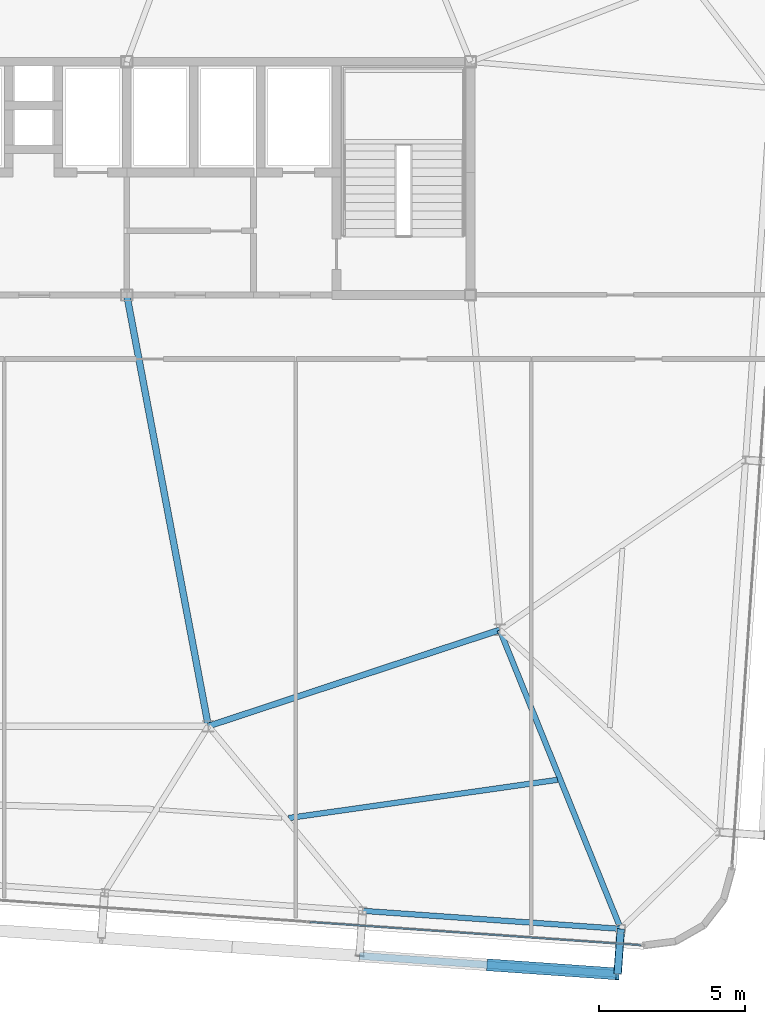
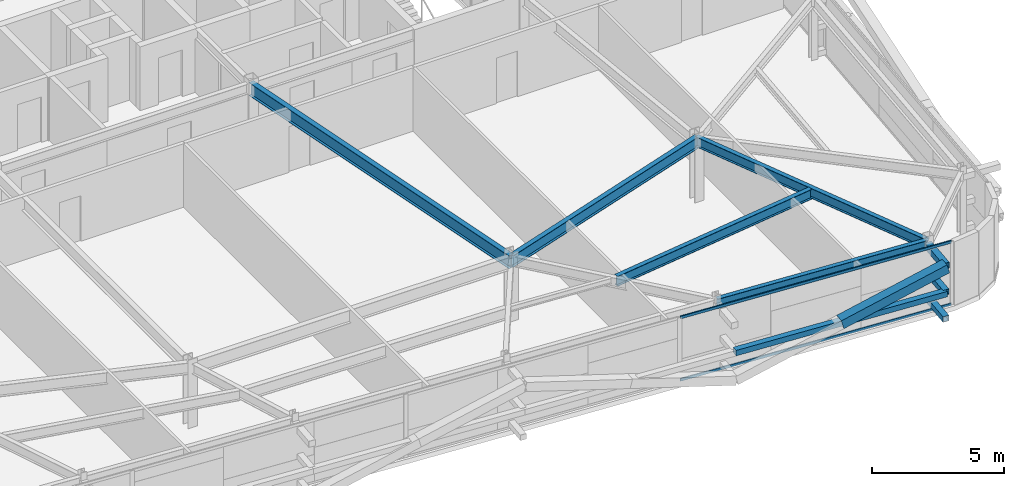
# One storey, part 14 of 39: 7 members, 5 beams, 1 element without a shape of its own.
"""IFC4 building model written with IfcOpenShell, lengths in metres."""

from ifc_helpers import new_model, si_unit, direction, frame, origin, origin_2d, place, context, subcontext, project, spatial, hollow_rectangle, i_section, extrude, source, transform, mapped, material, layer, layer_set, material_profile, profile_set, type_object, element, aggregate, save


model = new_model("IFC4")

# Units and contexts
model_context = context("Model", 3, precision=1e-05, world=origin(), true_north=direction((0.0, 1.0)))
body_context = subcontext(model_context, "Body", "Model", "MODEL_VIEW")
ifc_project = project(units=[si_unit("LENGTHUNIT", "METRE"), si_unit("AREAUNIT", "SQUARE_METRE"), si_unit("VOLUMEUNIT", "CUBIC_METRE"), si_unit("PLANEANGLEUNIT", "RADIAN"), si_unit("MASSUNIT", "GRAM", prefix="KILO")], contexts=[model_context])

# Site, building, storey
site_placement = place(None, origin())
site = spatial("IfcSite", under=ifc_project, at=site_placement, CompositionType="ELEMENT")
building_placement = place(site_placement, origin())
building = spatial("IfcBuilding", under=site, at=building_placement, Name="Taldren Reach Tower", CompositionType="ELEMENT")
storey_placement = place(building_placement, frame((0.0, 0.0, 145.60009765625)))
storey = spatial("IfcBuildingStorey", under=building, at=storey_placement, Name="L44", CompositionType="ELEMENT", Elevation=145.60009765625)

# Beams
ifc_material_1 = material(Name="Steel Gr 350 (350PLUS)", Category="steel")
ifc_material_profile_1 = material_profile(ifc_material_1, i_section(OverallWidth=0.208984375, OverallDepth=0.532958984375, WebThickness=0.01025390625, FlangeThickness=0.015625, at=origin_2d()), Name="530UB92.4")
ifc_profile_set_1 = profile_set([ifc_material_profile_1], Name="Steel Gr 350 (350PLUS)")
beam_type_1 = type_object("IfcBeamType", Name="BM-UB530A", PredefinedType="BEAM", material=ifc_profile_set_1)
shared_shape_1 = source(origin(), body_context, "Body", "SweptSolid", [
    extrude(i_section(OverallWidth=0.208984375, OverallDepth=0.532958984375, WebThickness=0.01025390625, FlangeThickness=0.015625, at=origin_2d()), origin(), (0.0, 0.0, 1.0), 10.530517578125),
])
beam_1_placement = place(storey_placement, frame((42.0, 9.199951171875, 2.663330078125), z_axis=(0.949627269203, 0.313381635689, 0.0), x_axis=(-0.313381635689, 0.949627269203, 0.0)))
element("IfcBeam", 1, at=beam_1_placement, inside=storey, type_object=beam_type_1, Name="Core-spine girder L44-SP12", PredefinedType="BEAM", context=body_context, shape_type="MappedRepresentation", body=[
    mapped(shared_shape_1, transform((0.0, 0.0, 0.0), scale=1.0)),
])
ifc_material_profile_2 = material_profile(ifc_material_1, i_section(OverallWidth=0.22802734375, OverallDepth=0.60205078125, WebThickness=0.010498046875, FlangeThickness=0.014892578125, at=origin_2d()), Name="610UB101")
ifc_profile_set_2 = profile_set([ifc_material_profile_2], Name="Steel Gr 350 (350PLUS)")
beam_type_2 = type_object("IfcBeamType", Name="BM-UB610B", PredefinedType="BEAM", material=ifc_profile_set_2)
shared_shape_2 = source(origin(), body_context, "Body", "SweptSolid", [
    extrude(i_section(OverallWidth=0.22802734375, OverallDepth=0.60205078125, WebThickness=0.010498046875, FlangeThickness=0.014892578125, at=origin_2d()), origin(), (0.0, 0.0, 1.0), 15.0625),
])
beam_2_placement = place(storey_placement, frame((39.199951171875, 24.0, 2.62890625), z_axis=(0.185894205668, -0.982569765614, 0.0), x_axis=(0.982569765614, 0.185894205668, 0.0)))
element("IfcBeam", 2, at=beam_2_placement, inside=storey, type_object=beam_type_2, Name="Core-spine girder L44-SP15", PredefinedType="BEAM", context=body_context, shape_type="MappedRepresentation", body=[
    mapped(shared_shape_2, transform((0.0, 0.0, 0.0), scale=1.0)),
])

# Members
ifc_material_2 = material(Name="Steel Gr 450 (C450L0)", Category="steel")
ifc_material_profile_3 = material_profile(ifc_material_2, hollow_rectangle(XDim=0.27490234375, YDim=0.27490234375, WallThickness=0.00927734375, at=origin_2d()), Name="275x275x9.3SHS")
ifc_profile_set_3 = profile_set([ifc_material_profile_3], Name="Steel Gr 450 (C450L0)")
member_type_1 = type_object("IfcMemberType", Name="MB-TIE273", PredefinedType="STRUT", material=ifc_profile_set_3)
shared_shape_3 = source(origin(), body_context, "Body", "SweptSolid", [
    extrude(hollow_rectangle(XDim=0.27490234375, YDim=0.27490234375, WallThickness=0.00927734375, at=origin_2d()), origin(), (0.0, 0.0, 1.0), 1.5498046875),
])
member_1_placement = place(storey_placement, frame((56.155517578125, 2.2412109375, 2.64990234375), z_axis=(-0.069780535098, -0.997562367434, 0.0), x_axis=(0.997562367434, -0.069780535098, 0.0)))
element("IfcMember", 3, at=member_1_placement, inside=storey, type_object=member_type_1, Name="Exoskeleton diaphragm tie strut B3-S6 L44", PredefinedType="STRUT", context=body_context, shape_type="MappedRepresentation", body=[
    mapped(shared_shape_3, transform((0.0, 0.0, 0.0), scale=1.0)),
])
ifc_material_3 = material(Name="Steel Gr 350 (C350L0)", Category="steel")
ifc_material_profile_4 = material_profile(ifc_material_3, hollow_rectangle(XDim=0.25, YDim=0.25, WallThickness=0.010009765625, at=origin_2d()), Name="250x250x10.0SHS")
ifc_profile_set_4 = profile_set([ifc_material_profile_4], Name="Steel Gr 350 (C350L0)")
member_type_2 = type_object("IfcMemberType", Name="MB-POST250", PredefinedType="POST", material=ifc_profile_set_4)
shared_shape_4 = source(origin(), body_context, "Body", "SweptSolid", [
    extrude(hollow_rectangle(XDim=0.25, YDim=0.25, WallThickness=0.010009765625, at=origin_2d()), origin(), (0.0, 0.0, 1.0), 1.5498046875),
])
for number, where, z_axis, x_axis, name in (
    (4, (56.155517578125, 2.2412109375, 0.219970703125), (-0.069780535098, -0.997562367434, 0.0), (0.997562367434, -0.069780535098, 0.0), "Exoskeleton base diaphragm tie strut B3-S6 L44"),
    (5, (56.155517578125, 2.2412109375, 1.434814453125), (-0.069780535098, -0.997562367434, 0.0), (0.997562367434, -0.069780535098, 0.0), "Exoskeleton mid-tier diaphragm tie B3-S6 L44"),
):
    element("IfcMember", number, at=place(storey_placement, frame(where, z_axis=z_axis, x_axis=x_axis)), inside=storey, type_object=member_type_2, Name=name, PredefinedType="POST", context=body_context, shape_type="MappedRepresentation", body=[
        mapped(shared_shape_4, transform((0.0, 0.0, 0.0), scale=1.0)),
    ])

# Beams
ifc_material_profile_5 = material_profile(ifc_material_1, i_section(OverallWidth=0.18994140625, OverallDepth=0.4541015625, WebThickness=0.008544921875, FlangeThickness=0.0126953125, at=origin_2d()), Name="460UB67.1")
ifc_profile_set_5 = profile_set([ifc_material_profile_5], Name="Steel Gr 350 (350PLUS)")
beam_type_3 = type_object("IfcBeamType", Name="SP-UB460B", PredefinedType="SPANDREL", material=ifc_profile_set_5)
shared_shape_5 = source(origin(), body_context, "Body", "SweptSolid", [
    extrude(i_section(OverallWidth=0.18994140625, OverallDepth=0.4541015625, WebThickness=0.008544921875, FlangeThickness=0.0126953125, at=origin_2d()), origin(), (0.0, 0.0, 1.0), 8.880126953125),
])
beam_3_placement = place(storey_placement, frame((47.297119140625, 2.860595703125, 2.702880859375), z_axis=(0.997564479639, -0.069750333063, 0.0), x_axis=(0.069750333063, 0.997564479639, 0.0)))
element("IfcBeam", 6, at=beam_3_placement, inside=storey, type_object=beam_type_3, Name="Perimeter spandrel B3 S5-S6 L44", PredefinedType="SPANDREL", context=body_context, shape_type="MappedRepresentation", body=[
    mapped(shared_shape_5, transform((0.0, 0.0, 0.0), scale=1.0)),
])
ifc_material_profile_6 = material_profile(ifc_material_1, i_section(OverallWidth=0.19091796875, OverallDepth=0.4599609375, WebThickness=0.010009765625, FlangeThickness=0.01611328125, at=origin_2d()), Name="460UB82.1")
ifc_profile_set_6 = profile_set([ifc_material_profile_6], Name="Steel Gr 350 (350PLUS)")
beam_type_4 = type_object("IfcBeamType", Name="BM-UB460A", PredefinedType="BEAM", material=ifc_profile_set_6)
shared_shape_6 = source(origin(), body_context, "Body", "SweptSolid", [
    extrude(i_section(OverallWidth=0.19091796875, OverallDepth=0.4599609375, WebThickness=0.010009765625, FlangeThickness=0.01611328125, at=origin_2d()), origin(), (0.0, 0.0, 1.0), 11.068359375),
])
beam_4_placement = place(storey_placement, frame((52.0, 12.5, 2.699951171875), z_axis=(0.375437319636, -0.92684778633, 0.0), x_axis=(0.92684778633, 0.375437319636, 0.0)))
element("IfcBeam", 7, at=beam_4_placement, inside=storey, type_object=beam_type_4, Name="Primary floor girder B3-S6 L44", PredefinedType="BEAM", context=body_context, shape_type="MappedRepresentation", body=[
    mapped(shared_shape_6, transform((0.0, 0.0, 0.0), scale=1.0)),
])
shared_shape_7 = source(origin(), body_context, "Body", "SweptSolid", [
    extrude(i_section(OverallWidth=0.19091796875, OverallDepth=0.4599609375, WebThickness=0.010009765625, FlangeThickness=0.01611328125, at=origin_2d()), origin(), (0.0, 0.0, 1.0), 9.313232421875),
])
beam_5_placement = place(storey_placement, frame((44.759765625, 6.046142578125, 2.699951171875), z_axis=(0.990049385514, 0.140720340547, 0.0), x_axis=(-0.140720340547, 0.990049385514, 0.0)))
element("IfcBeam", 8, at=beam_5_placement, inside=storey, type_object=beam_type_4, Name="Secondary floor beam B3 J5 L44", PredefinedType="BEAM", context=body_context, shape_type="MappedRepresentation", body=[
    mapped(shared_shape_7, transform((0.0, 0.0, 0.0), scale=1.0)),
])

# Members
shared_shape_8 = source(origin(), body_context, "Body", "SweptSolid", [
    extrude(hollow_rectangle(XDim=0.25, YDim=0.25, WallThickness=0.010009765625, at=origin_2d()), origin(), (0.0, 0.0, 1.0), 8.880126953125),
])
member_2_placement = place(storey_placement, frame((47.18896484375, 1.314453125, 1.434814453125), z_axis=(0.997564479639, -0.069750333063, 0.0), x_axis=(0.069750333063, 0.997564479639, 0.0)))
element("IfcMember", 9, at=member_2_placement, inside=storey, type_object=member_type_2, Name="Exoskeleton mid-height ring chord B3-S5 L44", PredefinedType="POST", context=body_context, shape_type="MappedRepresentation", body=[
    mapped(shared_shape_8, transform((0.0, 0.0, 0.0), scale=1.0)),
])
ifc_material_profile_7 = material_profile(ifc_material_2, hollow_rectangle(XDim=0.409912109375, YDim=0.409912109375, WallThickness=0.01611328125, at=origin_2d()), Name="410x410x16.0SHS")
ifc_profile_set_7 = profile_set([ifc_material_profile_7], Name="Steel Gr 450 (C450L0)")
member_type_3 = type_object("IfcMemberType", Name="MB-EXO406", PredefinedType="BRACE", material=ifc_profile_set_7)
shared_shape_9 = source(origin(), body_context, "Body", "SweptSolid", [
    extrude(hollow_rectangle(XDim=0.409912109375, YDim=0.409912109375, WallThickness=0.01611328125, at=origin_2d()), origin(), (0.0, 0.0, 1.0), 4.603271484375),
])
member_3_placement = place(storey_placement, frame((51.6181640625, 1.004638671875, 1.434814453125), z_axis=(0.962185784239, -0.067250114343, 0.263962002434), x_axis=(0.069722973508, 0.997566392259, 0.0)))
element("IfcMember", 10, at=member_3_placement, inside=storey, type_object=member_type_3, Name="Exoskeleton Diagrid Brace B3-S5 L44", PredefinedType="BRACE", context=body_context, shape_type="MappedRepresentation", body=[
    mapped(shared_shape_9, transform((0.0, 0.0, 0.0), scale=1.0)),
])

# Curtain wall, members
ifc_material_4 = material(Name="Aluminium and Low-E Glass Unitised System", Category="aluminium")
ifc_layer = layer(ifc_material_4, 0.159912109375)
ifc_layer_set = layer_set([ifc_layer], Name="Aluminium and Low-E Glass Unitised System")
curtain_wall_type = type_object("IfcCurtainWallType", Name="CW-SYS-4", PredefinedType="NOTDEFINED", material=ifc_layer_set)
curtain_wall_placement = place(storey_placement, origin())
curtain_wall = element("IfcCurtainWall", 11, at=curtain_wall_placement, inside=storey, type_object=curtain_wall_type, Name="Unitised curtain wall CW-L44-S", PredefinedType="NOTDEFINED")
ifc_material_5 = material(Name="Anodised Aluminium 6063-T6", Category="aluminium")
ifc_material_profile_8 = material_profile(ifc_material_5, hollow_rectangle(XDim=0.054931640625, YDim=0.1201171875, WallThickness=0.0029296875, at=origin_2d()), Name="ALU-120x55x3RHS")
ifc_profile_set_8 = profile_set([ifc_material_profile_8], Name="Anodised Aluminium 6063-T6")
member_type_4 = type_object("IfcMemberType", Name="CW-TRN-135", PredefinedType="USERDEFINED", material=ifc_profile_set_8)
shared_shape_10 = source(origin(), body_context, "Body", "SweptSolid", [
    extrude(hollow_rectangle(XDim=0.054931640625, YDim=0.1201171875, WallThickness=0.0029296875, at=origin_2d()), origin(), (0.0, 0.0, 1.0), 11.395263671875),
])
member_4_placement = place(storey_placement, frame((45.480712890625, 2.476318359375, 0.02734375), z_axis=(0.997565335668, -0.069738089122, 0.0), x_axis=(0.069738089122, 0.997565335668, 0.0)))
member_4 = element("IfcMember", 12, at=member_4_placement, type_object=member_type_4, Name="CW-4 transom 4.1", ObjectType="TRANSOM", PredefinedType="USERDEFINED", context=body_context, shape_type="MappedRepresentation", body=[
    mapped(shared_shape_10, transform((0.0, 0.0, 0.0), scale=1.0)),
])
member_5_placement = place(storey_placement, frame((45.480712890625, 2.476318359375, 2.90234375), z_axis=(0.997565335668, -0.069738089122, 0.0), x_axis=(0.069738089122, 0.997565335668, 0.0)))
member_5 = element("IfcMember", 13, at=member_5_placement, type_object=member_type_4, Name="CW-4 transom 4.2", ObjectType="TRANSOM", PredefinedType="USERDEFINED", context=body_context, shape_type="MappedRepresentation", body=[
    mapped(shared_shape_10, transform((0.0, 0.0, 0.0), scale=1.0)),
])
aggregate(curtain_wall, [member_4, member_5])

save(model, "model.ifc")
